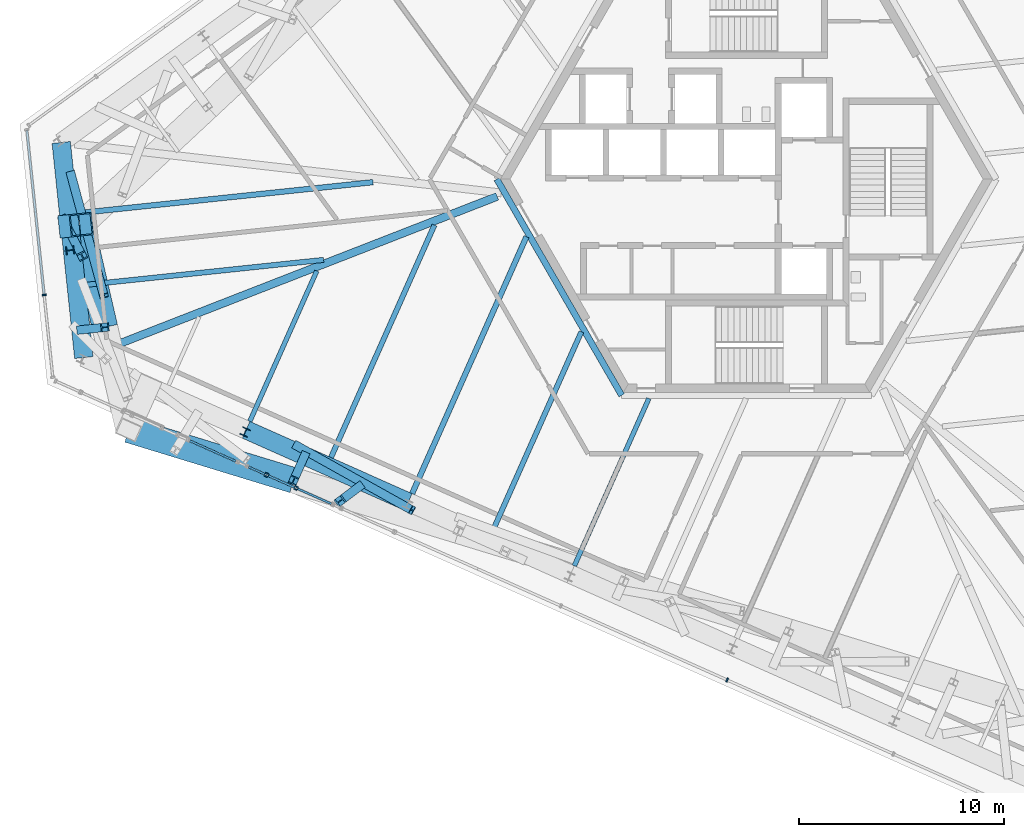
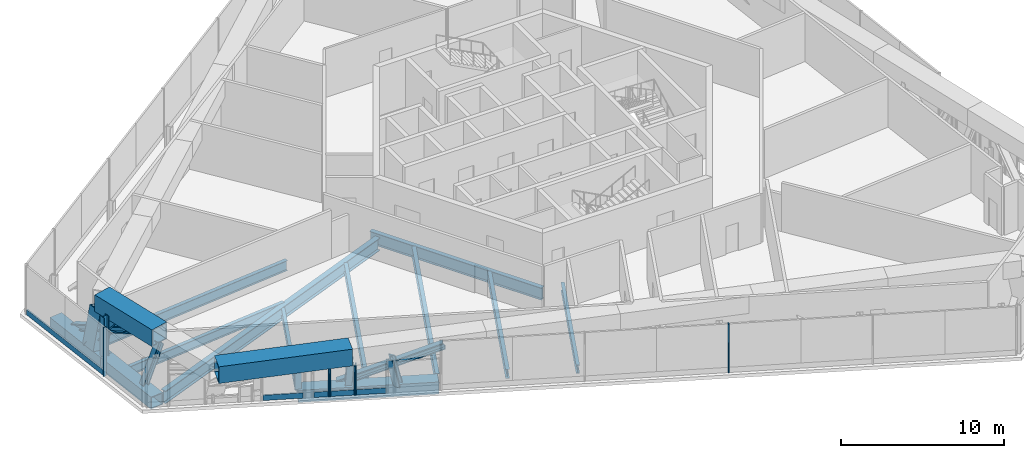
# One storey, part 2 of 30: 25 members, 9 beams, 6 elements without a shape of their own.
"""IFC4 building model written with IfcOpenShell, lengths in metres."""

from ifc_helpers import new_model, si_unit, direction, frame, origin, origin_2d, place, context, subcontext, project, spatial, rectangle, hollow_rectangle, i_section, extrude, source, transform, mapped, material, material_profile, profile_set, type_object, element, aggregate, save


model = new_model("IFC4")

# Units and contexts
model_context = context("Model", 3, precision=1e-05, world=origin(), true_north=direction((0.0, 1.0)))
body_context = subcontext(model_context, "Body", "Model", "MODEL_VIEW")
ifc_project = project(units=[si_unit("LENGTHUNIT", "METRE"), si_unit("AREAUNIT", "SQUARE_METRE"), si_unit("VOLUMEUNIT", "CUBIC_METRE"), si_unit("PLANEANGLEUNIT", "RADIAN"), si_unit("MASSUNIT", "GRAM", prefix="KILO")], contexts=[model_context])

# Site, building, storey
site_placement = place(None, origin())
site = spatial("IfcSite", under=ifc_project, at=site_placement, CompositionType="ELEMENT")
building_placement = place(site_placement, origin())
building = spatial("IfcBuilding", under=site, at=building_placement, Name="Triune Harvest Tower", CompositionType="ELEMENT")
storey_placement = place(building_placement, frame((0.0, 0.0, 94.5)))
storey = spatial("IfcBuildingStorey", under=building, at=storey_placement, Name="L23", CompositionType="ELEMENT", Elevation=94.5)

# Beams
ifc_material_1 = material(Name="Steel ASTM A992 Gr 50", Category="steel")
ifc_material_profile_1 = material_profile(ifc_material_1, i_section(OverallWidth=0.253662109375, OverallDepth=0.683349609375, WebThickness=0.012451171875, FlangeThickness=0.01904296875, at=origin_2d()), Name="W27x94")
ifc_profile_set_1 = profile_set([ifc_material_profile_1], Name="Steel ASTM A992 Gr 50")
beam_type_1 = type_object("IfcBeamType", Name="JT-4 Floor joist W27x94", PredefinedType="JOIST", material=ifc_profile_set_1)
beam_1_placement = place(storey_placement, frame((-32.239013671875, -5.156005859375, -0.591552734375), z_axis=(0.994521361702, 0.104533540635, 0.0), x_axis=(-0.104533540635, 0.994521361702, 0.0)))
element("IfcBeam", 1, at=beam_1_placement, inside=storey, type_object=beam_type_1, Name="beam/L23/JT26", PredefinedType="JOIST", context=body_context, shape_type="SweptSolid", body=[
    extrude(i_section(OverallWidth=0.253662109375, OverallDepth=0.683349609375, WebThickness=0.012451171875, FlangeThickness=0.01904296875, at=origin_2d()), origin(), (0.0, 0.0, 1.0), 11.679931640625),
])
beam_2_placement = place(storey_placement, frame((-20.26611328125, -13.572998046875, -0.591552734375), z_axis=(0.406748314831, 0.913540260953, 0.0), x_axis=(-0.913540260953, 0.406748314831, 0.0)))
element("IfcBeam", 2, at=beam_2_placement, inside=storey, type_object=beam_type_1, Name="beam/L23/JT29", PredefinedType="JOIST", context=body_context, shape_type="SweptSolid", body=[
    extrude(i_section(OverallWidth=0.253662109375, OverallDepth=0.683349609375, WebThickness=0.012451171875, FlangeThickness=0.01904296875, at=origin_2d()), origin(), (0.0, 0.0, 1.0), 12.404296875),
])
beam_3_placement = place(storey_placement, frame((-12.352783203125, -17.09619140625, -0.591552734375), z_axis=(0.406757911638, 0.913535987972, 0.0), x_axis=(-0.913535987972, 0.406757911638, 0.0)))
element("IfcBeam", 3, at=beam_3_placement, inside=storey, type_object=beam_type_1, Name="beam/L23/JT31", PredefinedType="JOIST", context=body_context, shape_type="SweptSolid", body=[
    extrude(i_section(OverallWidth=0.253662109375, OverallDepth=0.683349609375, WebThickness=0.012451171875, FlangeThickness=0.01904296875, at=origin_2d()), origin(), (0.0, 0.0, 1.0), 10.566650390625),
])
ifc_material_2 = material(Name="Steel ASTM A992 Gr 50", Category="steel")
ifc_material_profile_2 = material_profile(ifc_material_2, i_section(OverallWidth=0.2666015625, OverallDepth=0.7568359375, WebThickness=0.013916015625, FlangeThickness=0.019287109375, at=origin_2d()), Name="W30x108")
ifc_profile_set_2 = profile_set([ifc_material_profile_2], Name="Steel ASTM A992 Gr 50")
beam_type_2 = type_object("IfcBeamType", Name="JT-5 Floor joist W30x108", PredefinedType="JOIST", material=ifc_profile_set_2)
beam_4_placement = place(storey_placement, frame((-32.6064453125, -1.65966796875, -0.62841796875), z_axis=(0.994521989796, 0.10452756484, 0.0), x_axis=(-0.10452756484, 0.994521989796, 0.0)))
element("IfcBeam", 4, at=beam_4_placement, inside=storey, type_object=beam_type_2, Name="beam/L23/JT25", PredefinedType="JOIST", context=body_context, shape_type="SweptSolid", body=[
    extrude(i_section(OverallWidth=0.2666015625, OverallDepth=0.7568359375, WebThickness=0.013916015625, FlangeThickness=0.019287109375, at=origin_2d()), origin(), (0.0, 0.0, 1.0), 14.469482421875),
])

# Member
ifc_material_3 = material(Name="Steel ASTM A992 Gr 50", Category="steel")
ifc_material_profile_3 = material_profile(ifc_material_3, i_section(OverallWidth=0.424072265625, OverallDepth=0.47509765625, WebThickness=0.0478515625, FlangeThickness=0.0771484375, at=origin_2d()), Name="W14x426")
ifc_profile_set_3 = profile_set([ifc_material_profile_3], Name="Steel ASTM A992 Gr 50")
member_type_1 = type_object("IfcMemberType", Name="TD-1 Belt truss diagonal W14x426", PredefinedType="BRACE", material=ifc_profile_set_3)
member_1_placement = place(storey_placement, frame((-22.0, -12.96533203125, -0.324951171875), z_axis=(0.804291349507, -0.449413279918, 0.388771306735), x_axis=(0.487785254013, 0.872963656728, 0.0)))
element("IfcMember", 5, at=member_1_placement, inside=storey, type_object=member_type_1, Name="truss/L23/TD35", PredefinedType="BRACE", context=body_context, shape_type="SweptSolid", body=[
    extrude(i_section(OverallWidth=0.424072265625, OverallDepth=0.47509765625, WebThickness=0.0478515625, FlangeThickness=0.0771484375, at=origin_2d()), origin(), (0.0, 0.0, 1.0), 7.073486328125),
])

# Curtain wall, member
ifc_material_4 = material(Name="Aluminium bronze anodised", Category="aluminium")
curtain_wall_type = type_object("IfcCurtainWallType", Name="CW-5 Plant louvre wall", PredefinedType="NOTDEFINED", material=ifc_material_4)
curtain_wall_1_placement = place(storey_placement, origin())
curtain_wall_1 = element("IfcCurtainWall", 6, at=curtain_wall_1_placement, inside=storey, type_object=curtain_wall_type, Name="CW-5 B2-F5 L23 run 601")
ifc_material_5 = material(Name="Aluminium bronze anodised", Category="aluminium")
ifc_material_profile_4 = material_profile(ifc_material_5, rectangle(XDim=0.10009765625, YDim=0.39990234375, at=origin_2d()), Name="TR-5 transom 100 x 400")
ifc_profile_set_4 = profile_set([ifc_material_profile_4], Name="Aluminium bronze anodised")
member_type_2 = type_object("IfcMemberType", Name="TR-5 transom 100 x 400", PredefinedType="USERDEFINED", material=ifc_profile_set_4)
member_2_placement = place(storey_placement, frame((-27.15478515625, -12.755859375, 0.199951171875), z_axis=(0.913567150833, -0.406687915876, 0.0), x_axis=(0.406687915876, 0.913567150833, 0.0)))
member_2 = element("IfcMember", 7, at=member_2_placement, type_object=member_type_2, Name="CW-5 transom B2-F5 601.1", ObjectType="TRANSOM", PredefinedType="USERDEFINED", context=body_context, shape_type="SweptSolid", body=[
    extrude(rectangle(XDim=0.10009765625, YDim=0.39990234375, at=origin_2d()), origin(), (0.0, 0.0, 1.0), 2.473388671875),
])
aggregate(curtain_wall_1, [member_2])

curtain_wall_2_placement = place(storey_placement, origin())
curtain_wall_2 = element("IfcCurtainWall", 8, at=curtain_wall_2_placement, inside=storey, type_object=curtain_wall_type, Name="CW-5 B2-F5 L23 run 901")
member_3_placement = place(storey_placement, frame((-23.333251953125, -14.45703125, 0.199951171875), z_axis=(0.913548512098, -0.406729782588, 0.0), x_axis=(0.406729782588, 0.913548512098, 0.0)))
member_3 = element("IfcMember", 9, at=member_3_placement, type_object=member_type_2, Name="CW-5 transom B2-F5 901.1", ObjectType="TRANSOM", PredefinedType="USERDEFINED", context=body_context, shape_type="SweptSolid", body=[
    extrude(rectangle(XDim=0.10009765625, YDim=0.39990234375, at=origin_2d()), origin(), (0.0, 0.0, 1.0), 1.417236328125),
])

curtain_wall_3_placement = place(storey_placement, origin())
curtain_wall_3 = element("IfcCurtainWall", 10, at=curtain_wall_3_placement, inside=storey, type_object=curtain_wall_type, Name="CW-5 B2-F5 L23 run 1001")
member_4_placement = place(storey_placement, frame((-21.892578125, -15.0986328125, 0.199951171875), z_axis=(0.91356540934, -0.406691827871, 0.0), x_axis=(0.406691827871, 0.91356540934, 0.0)))
member_4 = element("IfcMember", 11, at=member_4_placement, type_object=member_type_2, Name="CW-5 transom B2-F5 1001.1", ObjectType="TRANSOM", PredefinedType="USERDEFINED", context=body_context, shape_type="SweptSolid", body=[
    extrude(rectangle(XDim=0.10009765625, YDim=0.39990234375, at=origin_2d()), origin(), (0.0, 0.0, 1.0), 1.801025390625),
])

# Beams
ifc_material_6 = material(Name="Steel ASTM A992 Gr 50", Category="steel")
ifc_material_profile_5 = material_profile(ifc_material_6, i_section(OverallWidth=0.3046875, OverallDepth=0.914306640625, WebThickness=0.0166015625, FlangeThickness=0.02587890625, at=origin_2d()), Name="W36x160")
ifc_profile_set_5 = profile_set([ifc_material_profile_5], Name="Steel ASTM A992 Gr 50")
beam_type_3 = type_object("IfcBeamType", Name="CG-1 Core ring girder W36x160", PredefinedType="BEAM", material=ifc_profile_set_5)
shared_shape_1 = source(origin(), body_context, "Body", "SweptSolid", [
    extrude(i_section(OverallWidth=0.3046875, OverallDepth=0.914306640625, WebThickness=0.0166015625, FlangeThickness=0.02587890625, at=origin_2d()), origin(), (0.0, 0.0, 1.0), 12.176025390625),
])
beam_5_placement = place(storey_placement, frame((-12.176025390625, 0.0, -0.707275390625), z_axis=(0.5000099932, -0.866019634131, 0.0), x_axis=(0.866019634131, 0.5000099932, 0.0)))
element("IfcBeam", 12, at=beam_5_placement, inside=storey, type_object=beam_type_3, Name="beam/L23/CG4", PredefinedType="BEAM", context=body_context, shape_type="MappedRepresentation", body=[
    mapped(shared_shape_1, transform((0.0, 0.0, 0.0), scale=1.0)),
])
ifc_material_7 = material(Name="Steel ASTM A992 Gr 50", Category="steel")
ifc_material_profile_6 = material_profile(ifc_material_7, i_section(OverallWidth=0.383544921875, OverallDepth=0.9423828125, WebThickness=0.022216796875, FlangeThickness=0.039794921875, at=origin_2d()), Name="W36x232")
ifc_profile_set_6 = profile_set([ifc_material_profile_6], Name="Steel ASTM A992 Gr 50")
beam_type_4 = type_object("IfcBeamType", Name="HG-1 Hip girder W36x232", PredefinedType="BEAM", material=ifc_profile_set_6)
shared_shape_2 = source(origin(), body_context, "Body", "SweptSolid", [
    extrude(i_section(OverallWidth=0.383544921875, OverallDepth=0.9423828125, WebThickness=0.022216796875, FlangeThickness=0.039794921875, at=origin_2d()), origin(), (0.0, 0.0, 1.0), 21.00439453125),
])
beam_6_placement = place(storey_placement, frame((-31.729248046875, -8.469482421875, -0.72119140625), z_axis=(0.931736332536, 0.363135521028, 0.0), x_axis=(-0.363135521028, 0.931736332536, 0.0)))
element("IfcBeam", 13, at=beam_6_placement, inside=storey, type_object=beam_type_4, Name="beam/L23/HG6", PredefinedType="BEAM", context=body_context, shape_type="MappedRepresentation", body=[
    mapped(shared_shape_2, transform((0.0, 0.0, 0.0), scale=1.0)),
])
ifc_material_8 = material(Name="Steel ASTM A992 Gr 50", Category="steel")
ifc_material_profile_7 = material_profile(ifc_material_8, i_section(OverallWidth=0.22900390625, OverallDepth=0.612060546875, WebThickness=0.011962890625, FlangeThickness=0.01953125, at=origin_2d()), Name="W24x84")
ifc_profile_set_7 = profile_set([ifc_material_profile_7], Name="Steel ASTM A992 Gr 50")
beam_type_5 = type_object("IfcBeamType", Name="JT-3 Floor joist W24x84", PredefinedType="JOIST", material=ifc_profile_set_7)
shared_shape_3 = source(origin(), body_context, "Body", "SweptSolid", [
    extrude(i_section(OverallWidth=0.22900390625, OverallDepth=0.612060546875, WebThickness=0.011962890625, FlangeThickness=0.01953125, at=origin_2d()), origin(), (0.0, 0.0, 1.0), 8.028564453125),
])
beam_7_placement = place(storey_placement, frame((-24.22265625, -11.811279296875, -0.55615234375), z_axis=(0.406722426946, 0.913551786939, 0.0), x_axis=(-0.913551786939, 0.406722426946, 0.0)))
element("IfcBeam", 14, at=beam_7_placement, inside=storey, type_object=beam_type_5, Name="beam/L23/JT28", PredefinedType="JOIST", context=body_context, shape_type="MappedRepresentation", body=[
    mapped(shared_shape_3, transform((0.0, 0.0, 0.0), scale=1.0)),
])
shared_shape_4 = source(origin(), body_context, "Body", "SweptSolid", [
    extrude(i_section(OverallWidth=0.2666015625, OverallDepth=0.7568359375, WebThickness=0.013916015625, FlangeThickness=0.019287109375, at=origin_2d()), origin(), (0.0, 0.0, 1.0), 13.713623046875),
])
beam_8_placement = place(storey_placement, frame((-16.309326171875, -15.334716796875, -0.62841796875), z_axis=(0.40673798045, 0.913544862204, 0.0), x_axis=(-0.913544862204, 0.40673798045, 0.0)))
element("IfcBeam", 15, at=beam_8_placement, inside=storey, type_object=beam_type_2, Name="beam/L23/JT30", PredefinedType="JOIST", context=body_context, shape_type="MappedRepresentation", body=[
    mapped(shared_shape_4, transform((0.0, 0.0, 0.0), scale=1.0)),
])
shared_shape_5 = source(origin(), body_context, "Body", "SweptSolid", [
    extrude(i_section(OverallWidth=0.22900390625, OverallDepth=0.612060546875, WebThickness=0.011962890625, FlangeThickness=0.01953125, at=origin_2d()), origin(), (0.0, 0.0, 1.0), 8.93310546875),
])
beam_9_placement = place(storey_placement, frame((-8.39599609375, -18.85791015625, -0.55615234375), z_axis=(0.406721606218, 0.913552152335, 0.0), x_axis=(-0.913552152335, 0.406721606218, 0.0)))
element("IfcBeam", 16, at=beam_9_placement, inside=storey, type_object=beam_type_5, Name="beam/L23/JT32", PredefinedType="JOIST", context=body_context, shape_type="MappedRepresentation", body=[
    mapped(shared_shape_5, transform((0.0, 0.0, 0.0), scale=1.0)),
])

# Members
ifc_material_9 = material(Name="Steel ASTM A992 Gr 50", Category="steel")
ifc_material_profile_8 = material_profile(ifc_material_9, i_section(OverallWidth=0.398681640625, OverallDepth=0.393798828125, WebThickness=0.022705078125, FlangeThickness=0.03662109375, at=origin_2d()), Name="W14x193")
ifc_profile_set_8 = profile_set([ifc_material_profile_8], Name="Steel ASTM A992 Gr 50")
member_type_3 = type_object("IfcMemberType", Name="WP-2 Roof edge post W14x193", PredefinedType="POST", material=ifc_profile_set_8)
shared_shape_6 = source(origin(), body_context, "Body", "SweptSolid", [
    extrude(i_section(OverallWidth=0.398681640625, OverallDepth=0.393798828125, WebThickness=0.022705078125, FlangeThickness=0.03662109375, at=origin_2d()), origin(), (0.0, 0.0, 1.0), 2.9755859375),
])
for number, where, z_axis, x_axis, name in (
    (17, (-32.989501953125, -3.46728515625, -0.25), (0.0, 0.0, 1.0), (0.104528463268, -0.994521895368, 0.0), "post/L23/W15"),
    (18, (-24.45458984375, -12.33203125, -0.25), (0.0, 0.0, 1.0), (0.913545457643, -0.406736643076, 0.0), "post/L23/W17"),
):
    element("IfcMember", number, at=place(storey_placement, frame(where, z_axis=z_axis, x_axis=x_axis)), inside=storey, type_object=member_type_3, Name=name, PredefinedType="POST", context=body_context, shape_type="MappedRepresentation", body=[
        mapped(shared_shape_6, transform((0.0, 0.0, 0.0), scale=1.0)),
    ])
ifc_material_10 = material(Name="Steel ASTM A572 Gr 50", Category="steel")
ifc_material_profile_9 = material_profile(ifc_material_10, hollow_rectangle(XDim=0.89990234375, YDim=0.89990234375, WallThickness=0.050048828125, at=origin_2d()), Name="Box 900x900x50")
ifc_profile_set_9 = profile_set([ifc_material_profile_9], Name="Steel ASTM A572 Gr 50")
member_type_4 = type_object("IfcMemberType", Name="TC-2 Belt truss chord Box 900x900x50", PredefinedType="CHORD", material=ifc_profile_set_9)
shared_shape_7 = source(origin(), body_context, "Body", "SweptSolid", [
    extrude(hollow_rectangle(XDim=0.89990234375, YDim=0.89990234375, WallThickness=0.050048828125, at=origin_2d()), origin(), (0.0, 0.0, 1.0), 8.662353515625),
])
member_5_placement = place(storey_placement, frame((-24.40576171875, -12.222412109375, -0.699951171875), z_axis=(0.913537051977, -0.406755521986, 0.0), x_axis=(0.406755521986, 0.913537051977, 0.0)))
element("IfcMember", 19, at=member_5_placement, inside=storey, type_object=member_type_4, Name="truss/L23/TCB18", PredefinedType="CHORD", context=body_context, shape_type="MappedRepresentation", body=[
    mapped(shared_shape_7, transform((0.0, 0.0, 0.0), scale=1.0)),
])
shared_shape_8 = source(origin(), body_context, "Body", "SweptSolid", [
    extrude(hollow_rectangle(XDim=0.89990234375, YDim=0.89990234375, WallThickness=0.050048828125, at=origin_2d()), origin(), (0.0, 0.0, 1.0), 5.273193359375),
])
member_6_placement = place(storey_placement, frame((-32.870361328125, -3.454833984375, -0.699951171875), z_axis=(0.104540182409, -0.994520663567, 0.0), x_axis=(0.994520663567, 0.104540182409, 0.0)))
element("IfcMember", 20, at=member_6_placement, inside=storey, type_object=member_type_4, Name="truss/L23/TCB16", PredefinedType="CHORD", context=body_context, shape_type="MappedRepresentation", body=[
    mapped(shared_shape_8, transform((0.0, 0.0, 0.0), scale=1.0)),
])
shared_shape_9 = source(origin(), body_context, "Body", "SweptSolid", [
    extrude(hollow_rectangle(XDim=0.89990234375, YDim=0.89990234375, WallThickness=0.050048828125, at=origin_2d()), origin(), (0.0, 0.0, 1.0), 5.2734375),
])
member_7_placement = place(storey_placement, frame((-33.42138671875, 1.789794921875, -0.699951171875), z_axis=(0.104489579192, -0.994525981481, 0.0), x_axis=(0.994525981481, 0.104489579192, 0.0)))
element("IfcMember", 21, at=member_7_placement, inside=storey, type_object=member_type_4, Name="truss/L23/TCB15", PredefinedType="CHORD", context=body_context, shape_type="MappedRepresentation", body=[
    mapped(shared_shape_9, transform((0.0, 0.0, 0.0), scale=1.0)),
])
ifc_material_11 = material(Name="Steel ASTM A572 Gr 50", Category="steel")
ifc_material_profile_10 = material_profile(ifc_material_11, hollow_rectangle(XDim=1.25, YDim=1.25, WallThickness=0.070068359375, at=origin_2d()), Name="Box 1250x1250x70")
ifc_profile_set_10 = profile_set([ifc_material_profile_10], Name="Steel ASTM A572 Gr 50")
member_type_5 = type_object("IfcMemberType", Name="TC-1 Belt truss chord Box 1250x1250x70", PredefinedType="CHORD", material=ifc_profile_set_10)
shared_shape_10 = source(origin(), body_context, "Body", "SweptSolid", [
    extrude(hollow_rectangle(XDim=1.25, YDim=1.25, WallThickness=0.070068359375, at=origin_2d()), origin(), (0.0, 0.0, 1.0), 8.414306640625),
])
member_8_placement = place(storey_placement, frame((-30.135498046875, -12.22900390625, 3.014892578125), z_axis=(0.956301328629, -0.292382914791, 0.0), x_axis=(0.292382914791, 0.956301328629, 0.0)))
element("IfcMember", 22, at=member_8_placement, inside=storey, type_object=member_type_5, Name="truss/L23/TCT17", PredefinedType="CHORD", context=body_context, shape_type="MappedRepresentation", body=[
    mapped(shared_shape_10, transform((0.0, 0.0, 0.0), scale=1.0)),
])
shared_shape_11 = source(origin(), body_context, "Body", "SweptSolid", [
    extrude(hollow_rectangle(XDim=1.25, YDim=1.25, WallThickness=0.070068359375, at=origin_2d()), origin(), (0.0, 0.0, 1.0), 5.13671875),
])
member_9_placement = place(storey_placement, frame((-32.446533203125, -2.218994140625, 3.014892578125), z_axis=(0.224949755424, -0.974370364664, 0.0), x_axis=(0.974370364664, 0.224949755424, 0.0)))
element("IfcMember", 23, at=member_9_placement, inside=storey, type_object=member_type_5, Name="truss/L23/TCT15", PredefinedType="CHORD", context=body_context, shape_type="MappedRepresentation", body=[
    mapped(shared_shape_11, transform((0.0, 0.0, 0.0), scale=1.0)),
])
ifc_material_12 = material(Name="Steel ASTM A992 Gr 50", Category="steel")
ifc_material_profile_11 = material_profile(ifc_material_12, i_section(OverallWidth=0.411376953125, OverallDepth=0.434326171875, WebThickness=0.035888671875, FlangeThickness=0.057373046875, at=origin_2d()), Name="W14x311")
ifc_profile_set_11 = profile_set([ifc_material_profile_11], Name="Steel ASTM A992 Gr 50")
member_type_6 = type_object("IfcMemberType", Name="TV-1 Belt truss strut W14x311", PredefinedType="STRUT", material=ifc_profile_set_11)
shared_shape_12 = source(origin(), body_context, "Body", "SweptSolid", [
    extrude(i_section(OverallWidth=0.411376953125, OverallDepth=0.434326171875, WebThickness=0.035888671875, FlangeThickness=0.057373046875, at=origin_2d()), origin(), (0.0, 0.0, 1.0), 3.00146484375),
])
member_10_placement = place(storey_placement, frame((-21.555419921875, -13.491455078125, -0.27490234375), z_axis=(-0.177727735269, -0.399053670128, 0.899538226243), x_axis=(0.913496461979, -0.406846671305, 0.0)))
element("IfcMember", 24, at=member_10_placement, inside=storey, type_object=member_type_6, Name="truss/L23/TS18", PredefinedType="STRUT", context=body_context, shape_type="MappedRepresentation", body=[
    mapped(shared_shape_12, transform((0.0, 0.0, 0.0), scale=1.0)),
])
ifc_material_13 = material(Name="Steel ASTM A572 Gr 50", Category="steel")
ifc_material_profile_12 = material_profile(ifc_material_13, hollow_rectangle(XDim=1.10009765625, YDim=1.10009765625, WallThickness=0.06005859375, at=origin_2d()), Name="Box 1100x1100x60")
ifc_profile_set_12 = profile_set([ifc_material_profile_12], Name="Steel ASTM A572 Gr 50")
member_type_7 = type_object("IfcMemberType", Name="TS-1 Belt truss raked strut Box 1100x1100x60", PredefinedType="STRUT", material=ifc_profile_set_12)
shared_shape_13 = source(origin(), body_context, "Body", "SweptSolid", [
    extrude(hollow_rectangle(XDim=1.10009765625, YDim=1.10009765625, WallThickness=0.06005859375, at=origin_2d()), origin(), (0.0, 0.0, 1.0), 2.755615234375),
])
member_11_placement = place(storey_placement, frame((-32.994140625, -2.276611328125, -0.27490234375), z_axis=(0.19873054737, 0.020909678635, 0.979831084872), x_axis=(-0.104638623879, 0.994510310853, 0.0)))
element("IfcMember", 25, at=member_11_placement, inside=storey, type_object=member_type_7, Name="truss/L23/TS15", PredefinedType="STRUT", context=body_context, shape_type="MappedRepresentation", body=[
    mapped(shared_shape_13, transform((0.0, 0.0, 0.0), scale=1.0)),
])
shared_shape_14 = source(origin(), body_context, "Body", "SweptSolid", [
    extrude(i_section(OverallWidth=0.411376953125, OverallDepth=0.434326171875, WebThickness=0.035888671875, FlangeThickness=0.057373046875, at=origin_2d()), origin(), (0.0, 0.0, 1.0), 2.9453125),
])
member_12_placement = place(storey_placement, frame((-32.461181640625, -7.34716796875, -0.27490234375), z_axis=(0.397313784001, 0.041778874846, 0.916731303414), x_axis=(-0.104576773534, 0.994516816568, 0.0)))
element("IfcMember", 26, at=member_12_placement, inside=storey, type_object=member_type_6, Name="truss/L23/TS16", PredefinedType="STRUT", context=body_context, shape_type="MappedRepresentation", body=[
    mapped(shared_shape_14, transform((0.0, 0.0, 0.0), scale=1.0)),
])
shared_shape_15 = source(origin(), body_context, "Body", "SweptSolid", [
    extrude(i_section(OverallWidth=0.424072265625, OverallDepth=0.47509765625, WebThickness=0.0478515625, FlangeThickness=0.0771484375, at=origin_2d()), origin(), (0.0, 0.0, 1.0), 2.981689453125),
])
member_13_placement = place(storey_placement, frame((-18.898193359375, -15.0029296875, -0.324951171875), z_axis=(-0.30918006333, -0.231885047497, 0.922299849933), x_axis=(0.6, -0.8, 0.0)))
element("IfcMember", 27, at=member_13_placement, inside=storey, type_object=member_type_1, Name="truss/L23/TD36", PredefinedType="BRACE", context=body_context, shape_type="MappedRepresentation", body=[
    mapped(shared_shape_15, transform((0.0, 0.0, 0.0), scale=1.0)),
])
shared_shape_16 = source(origin(), body_context, "Body", "SweptSolid", [
    extrude(i_section(OverallWidth=0.424072265625, OverallDepth=0.47509765625, WebThickness=0.0478515625, FlangeThickness=0.0771484375, at=origin_2d()), origin(), (0.0, 0.0, 1.0), 6.77880859375),
])
member_14_placement = place(storey_placement, frame((-32.962158203125, 0.28857421875, -0.324951171875), z_axis=(0.239390925904, -0.882112524172, 0.405671639745), x_axis=(0.965092231029, 0.26191026251, 0.0)))
element("IfcMember", 28, at=member_14_placement, inside=storey, type_object=member_type_1, Name="truss/L23/TD29", PredefinedType="BRACE", context=body_context, shape_type="MappedRepresentation", body=[
    mapped(shared_shape_16, transform((0.0, 0.0, 0.0), scale=1.0)),
])
shared_shape_17 = source(origin(), body_context, "Body", "SweptSolid", [
    extrude(i_section(OverallWidth=0.424072265625, OverallDepth=0.47509765625, WebThickness=0.0478515625, FlangeThickness=0.0771484375, at=origin_2d()), origin(), (0.0, 0.0, 1.0), 3.415283203125),
])
member_15_placement = place(storey_placement, frame((-33.32958984375, -1.95361328125, -0.324951171875), z_axis=(0.272715839122, -0.526559599206, 0.805208705601), x_axis=(0.887971553082, 0.459898381076, 0.0)))
element("IfcMember", 29, at=member_15_placement, inside=storey, type_object=member_type_1, Name="truss/L23/TD30", PredefinedType="BRACE", context=body_context, shape_type="MappedRepresentation", body=[
    mapped(shared_shape_17, transform((0.0, 0.0, 0.0), scale=1.0)),
])

# Member
ifc_material_14 = material(Name="Aluminium bronze anodised", Category="aluminium")
ifc_material_profile_13 = material_profile(ifc_material_14, rectangle(XDim=0.199951171875, YDim=0.080078125, at=origin_2d()), Name="MU-5 mullion 80 x 200")
ifc_profile_set_13 = profile_set([ifc_material_profile_13], Name="Aluminium bronze anodised")
member_type_8 = type_object("IfcMemberType", Name="MU-5 mullion 80 x 200", PredefinedType="MULLION", material=ifc_profile_set_13)
shared_shape_18 = source(origin(), body_context, "Body", "SweptSolid", [
    extrude(rectangle(XDim=0.199951171875, YDim=0.080078125, at=origin_2d()), origin(), (0.0, 0.0, 1.0), 2.330078125),
])
member_16_placement = place(storey_placement, frame((-21.928955078125, -15.082275390625, 0.0), z_axis=(0.0, 0.0, 1.0), x_axis=(0.406744019951, 0.91354217321, 0.0)))
member_16 = element("IfcMember", 30, at=member_16_placement, type_object=member_type_8, Name="CW-5 mullion B2-F5 1001.1", PredefinedType="MULLION", context=body_context, shape_type="MappedRepresentation", body=[
    mapped(shared_shape_18, transform((0.0, 0.0, 0.0), scale=1.0)),
])

aggregate(curtain_wall_3, [member_16, member_4])

# Curtain wall, member
curtain_wall_4_placement = place(storey_placement, origin())
curtain_wall_4 = element("IfcCurtainWall", 31, at=curtain_wall_4_placement, inside=storey, type_object=curtain_wall_type, Name="CW-5 B2-F4 L23 run 1")
shared_shape_19 = source(origin(), body_context, "Body", "SweptSolid", [
    extrude(rectangle(XDim=0.199951171875, YDim=0.080078125, at=origin_2d()), origin(), (0.0, 0.0, 1.0), 3.639892578125),
])
member_17_placement = place(storey_placement, frame((-34.25390625, -5.648193359375, 0.0), z_axis=(0.0, 0.0, 1.0), x_axis=(0.994521790334, 0.104529462601, 0.0)))
member_17 = element("IfcMember", 32, at=member_17_placement, type_object=member_type_8, Name="CW-5 mullion B2-F4 1.3", PredefinedType="MULLION", context=body_context, shape_type="MappedRepresentation", body=[
    mapped(shared_shape_19, transform((0.0, 0.0, 0.0), scale=1.0)),
])

curtain_wall_5_placement = place(storey_placement, origin())
curtain_wall_5 = element("IfcCurtainWall", 33, at=curtain_wall_5_placement, inside=storey, type_object=curtain_wall_type, Name="CW-5 B2-F5 L23 run 1301")
member_18_placement = place(storey_placement, frame((-0.947021484375, -24.42431640625, 0.0), z_axis=(0.0, 0.0, 1.0), x_axis=(0.406737270072, 0.913545178485, 0.0)))
member_18 = element("IfcMember", 34, at=member_18_placement, type_object=member_type_8, Name="CW-5 mullion B2-F5 1301.5", PredefinedType="MULLION", context=body_context, shape_type="MappedRepresentation", body=[
    mapped(shared_shape_19, transform((0.0, 0.0, 0.0), scale=1.0)),
])
aggregate(curtain_wall_5, [member_18])

# Curtain wall, members
curtain_wall_6_placement = place(storey_placement, origin())
curtain_wall_6 = element("IfcCurtainWall", 35, at=curtain_wall_6_placement, inside=storey, type_object=curtain_wall_type, Name="CW-5 B2-F5 L23 run 801")
shared_shape_20 = source(origin(), body_context, "Body", "SweptSolid", [
    extrude(rectangle(XDim=0.199951171875, YDim=0.080078125, at=origin_2d()), origin(), (0.0, 0.0, 1.0), 2.170166015625),
])
member_19_placement = place(storey_placement, frame((-23.44287109375, -14.408447265625, 0.0), z_axis=(0.0, 0.0, 1.0), x_axis=(0.406715123827, 0.913555038326, 0.0)))
member_19 = element("IfcMember", 36, at=member_19_placement, type_object=member_type_8, Name="CW-5 mullion B2-F5 801.2", PredefinedType="MULLION", context=body_context, shape_type="MappedRepresentation", body=[
    mapped(shared_shape_20, transform((0.0, 0.0, 0.0), scale=1.0)),
])
shared_shape_21 = source(origin(), body_context, "Body", "SweptSolid", [
    extrude(rectangle(XDim=0.10009765625, YDim=0.39990234375, at=origin_2d()), origin(), (0.0, 0.0, 1.0), 0.8857421875),
])
member_20_placement = place(storey_placement, frame((-24.28857421875, -14.03173828125, 0.199951171875), z_axis=(0.913492995608, -0.40685445429, 0.0), x_axis=(0.40685445429, 0.913492995608, 0.0)))
member_20 = element("IfcMember", 37, at=member_20_placement, type_object=member_type_2, Name="CW-5 transom B2-F5 801.1", ObjectType="TRANSOM", PredefinedType="USERDEFINED", context=body_context, shape_type="MappedRepresentation", body=[
    mapped(shared_shape_21, transform((0.0, 0.0, 0.0), scale=1.0)),
])
aggregate(curtain_wall_6, [member_19, member_20])

# Member
shared_shape_22 = source(origin(), body_context, "Body", "SweptSolid", [
    extrude(rectangle(XDim=0.10009765625, YDim=0.39990234375, at=origin_2d()), origin(), (0.0, 0.0, 1.0), 8.02685546875),
])
member_21_placement = place(storey_placement, frame((-35.096923828125, 2.37451171875, 0.199951171875), z_axis=(0.104507456664, -0.994524103027, 0.0), x_axis=(0.994524103027, 0.104507456664, 0.0)))
member_21 = element("IfcMember", 38, at=member_21_placement, type_object=member_type_2, Name="CW-5 transom B2-F4 1.1", ObjectType="TRANSOM", PredefinedType="USERDEFINED", context=body_context, shape_type="MappedRepresentation", body=[
    mapped(shared_shape_22, transform((0.0, 0.0, 0.0), scale=1.0)),
])

aggregate(curtain_wall_4, [member_17, member_21])

shared_shape_23 = source(origin(), body_context, "Body", "SweptSolid", [
    extrude(rectangle(XDim=0.199951171875, YDim=0.080078125, at=origin_2d()), origin(), (0.0, 0.0, 1.0), 2.190185546875),
])
member_22_placement = place(storey_placement, frame((-23.369873046875, -14.44091796875, 0.0), z_axis=(0.0, 0.0, 1.0), x_axis=(0.406744321251, 0.91354203906, 0.0)))
member_22 = element("IfcMember", 39, at=member_22_placement, type_object=member_type_8, Name="CW-5 mullion B2-F5 901.1", PredefinedType="MULLION", context=body_context, shape_type="MappedRepresentation", body=[
    mapped(shared_shape_23, transform((0.0, 0.0, 0.0), scale=1.0)),
])

member_23_placement = place(storey_placement, frame((-22.002197265625, -15.0498046875, 0.0), z_axis=(0.0, 0.0, 1.0), x_axis=(0.406744321251, 0.91354203906, 0.0)))
member_23 = element("IfcMember", 40, at=member_23_placement, type_object=member_type_8, Name="CW-5 mullion B2-F5 901.2", PredefinedType="MULLION", context=body_context, shape_type="MappedRepresentation", body=[
    mapped(shared_shape_23, transform((0.0, 0.0, 0.0), scale=1.0)),
])

aggregate(curtain_wall_2, [member_22, member_23, member_3])

save(model, "model.ifc")
